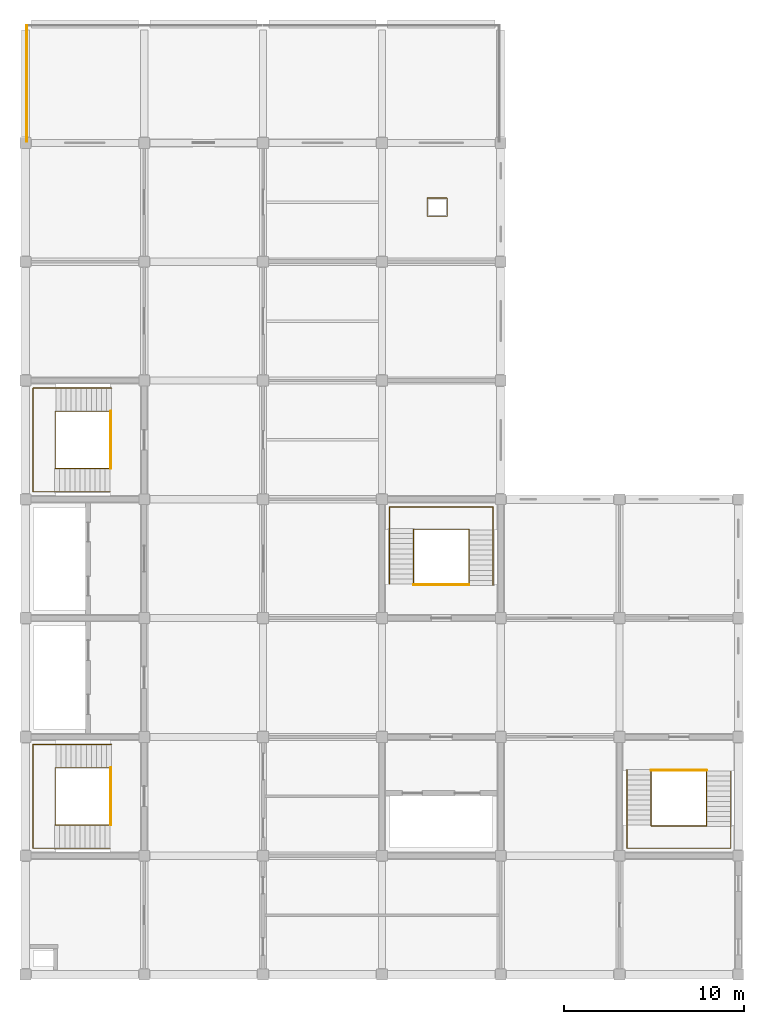
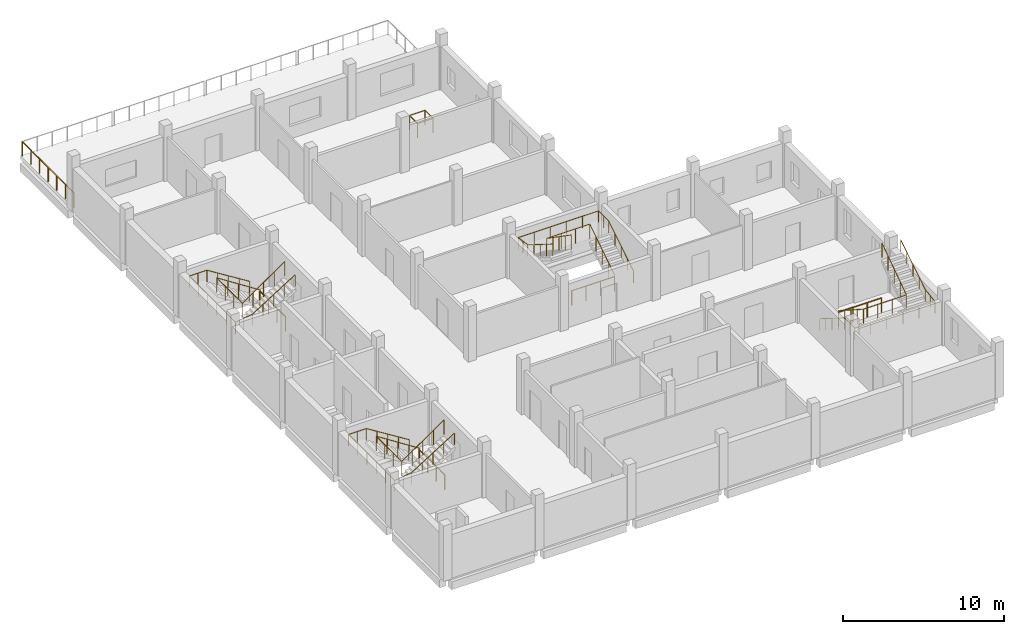
# One storey, part 6 of 7: 14 railings.
"""IFC4 building model written with IfcOpenShell, lengths in metres."""

from ifc_helpers import new_model, si_unit, direction, frame, origin, origin_2d, place, context, subcontext, project, spatial, circle, extrude, material, type_object, element, save


model = new_model("IFC4")

# Units and contexts
model_context = context("Model", 3, precision=1e-05, world=origin(), true_north=direction((0.0, 1.0)))
body_context = subcontext(model_context, "Body", "Model", "MODEL_VIEW")
ifc_project = project(units=[si_unit("LENGTHUNIT", "METRE"), si_unit("AREAUNIT", "SQUARE_METRE"), si_unit("VOLUMEUNIT", "CUBIC_METRE"), si_unit("PLANEANGLEUNIT", "RADIAN"), si_unit("MASSUNIT", "GRAM", prefix="KILO")], contexts=[model_context])

# Site, building, storey
site_placement = place(None, origin())
site = spatial("IfcSite", under=ifc_project, at=site_placement, CompositionType="ELEMENT")
building_placement = place(site_placement, origin())
building = spatial("IfcBuilding", under=site, at=building_placement, Name="Rusizi Kubbe Research Institute", CompositionType="ELEMENT")
storey_placement = place(building_placement, frame((0.0, 0.0, 64.800048828125)))
storey = spatial("IfcBuildingStorey", under=building, at=storey_placement, Name="L15", CompositionType="ELEMENT", Elevation=64.800048828125)

# Railings
ifc_material_1 = material(Name="Architectural Painted Steel Balustrade", Category="steel")
railing_type_1 = type_object("IfcRailingType", Name="GR-EXT", PredefinedType="GUARDRAIL", material=ifc_material_1)
railing_1_placement = place(storey_placement, frame((0.080078125, 46.280029296875, 0.0)))
element("IfcRailing", 1, at=railing_1_placement, inside=storey, type_object=railing_type_1, Name="Roof Terrace Guard L15-02", PredefinedType="GUARDRAIL", context=body_context, shape_type="SweptSolid", body=[
    extrude(circle(Radius=0.02392578125, at=origin_2d()), frame((0.0, 0.0, 1.09619140625), z_axis=(0.0, 1.0, 0.0), x_axis=(-1.0, 0.0, 0.0)), (0.0, 0.0, 1.0), 6.43994140625),
    extrude(circle(Radius=0.02099609375, at=origin_2d()), origin(), (0.0, 0.0, 1.0), 1.072021484375),
    extrude(circle(Radius=0.02099609375, at=origin_2d()), frame((0.0, 1.0732421875, 0.0)), (0.0, 0.0, 1.0), 1.072021484375),
    extrude(circle(Radius=0.02099609375, at=origin_2d()), frame((0.0, 2.146728515625, 0.0)), (0.0, 0.0, 1.0), 1.072021484375),
    extrude(circle(Radius=0.02099609375, at=origin_2d()), frame((0.0, 3.219970703125, 0.0)), (0.0, 0.0, 1.0), 1.072021484375),
    extrude(circle(Radius=0.02099609375, at=origin_2d()), frame((0.0, 4.293212890625, 0.0)), (0.0, 0.0, 1.0), 1.072021484375),
    extrude(circle(Radius=0.02099609375, at=origin_2d()), frame((0.0, 5.36669921875, 0.0)), (0.0, 0.0, 1.0), 1.072021484375),
    extrude(circle(Radius=0.02099609375, at=origin_2d()), frame((0.0, 6.43994140625, 0.0)), (0.0, 0.0, 1.0), 1.072021484375),
])
ifc_material_2 = material(Name="Painted Steel Stair Guard", Category="steel")
railing_type_2 = type_object("IfcRailingType", Name="GR-STAIR", PredefinedType="GUARDRAIL", material=ifc_material_2)
railing_2_placement = place(storey_placement, frame((4.780029296875, 11.489990234375, 0.08740234375)))
element("IfcRailing", 2, at=railing_2_placement, inside=storey, type_object=railing_type_2, Name="Stair Inner Well Guard ST1 L15", PredefinedType="GUARDRAIL", context=body_context, shape_type="SweptSolid", body=[
    extrude(circle(Radius=0.02392578125, at=origin_2d()), frame((0.0, 0.0, 1.09619140625), z_axis=(-0.840361383606, 0.0, 0.542026516828), x_axis=(0.0, -1.0, 0.0)), (0.0, 0.0, 1.0), 3.712890625),
    extrude(circle(Radius=0.02392578125, at=origin_2d()), frame((-3.1201171875, 0.0, 3.1083984375), z_axis=(0.0, -1.0, 0.0), x_axis=(1.0, 0.0, 0.0)), (0.0, 0.0, 1.0), 3.179931640625),
    extrude(circle(Radius=0.02392578125, at=origin_2d()), frame((-3.1201171875, -3.179931640625, 3.1083984375), z_axis=(0.82276741766, 0.0, 0.568378198419), x_axis=(0.0, 1.0, 0.0)), (0.0, 0.0, 1.0), 3.69482421875),
    extrude(circle(Radius=0.02099609375, at=origin_2d()), origin(), (0.0, 0.0, 1.0), 1.072021484375),
    extrude(circle(Radius=0.02099609375, at=origin_2d()), frame((-0.780029296875, 0.0, 0.503173828125)), (0.0, 0.0, 1.0), 1.072021484375),
    extrude(circle(Radius=0.02099609375, at=origin_2d()), frame((-1.56005859375, 0.0, 1.00634765625)), (0.0, 0.0, 1.0), 1.072021484375),
    extrude(circle(Radius=0.02099609375, at=origin_2d()), frame((-2.340087890625, 0.0, 1.50927734375)), (0.0, 0.0, 1.0), 1.072021484375),
    extrude(circle(Radius=0.02099609375, at=origin_2d()), frame((-3.1201171875, 0.0, 2.012451171875)), (0.0, 0.0, 1.0), 1.072021484375),
    extrude(circle(Radius=0.02099609375, at=origin_2d()), frame((-3.1201171875, -1.06005859375, 2.012451171875)), (0.0, 0.0, 1.0), 1.072021484375),
    extrude(circle(Radius=0.02099609375, at=origin_2d()), frame((-3.1201171875, -2.119873046875, 2.012451171875)), (0.0, 0.0, 1.0), 1.072021484375),
    extrude(circle(Radius=0.02099609375, at=origin_2d()), frame((-3.1201171875, -3.179931640625, 2.012451171875)), (0.0, 0.0, 1.0), 1.072021484375),
    extrude(circle(Radius=0.02099609375, at=origin_2d()), frame((-2.360107421875, -3.179931640625, 2.53759765625)), (0.0, 0.0, 1.0), 1.072021484375),
    extrude(circle(Radius=0.02099609375, at=origin_2d()), frame((-1.60009765625, -3.179931640625, 3.0625)), (0.0, 0.0, 1.0), 1.072021484375),
    extrude(circle(Radius=0.02099609375, at=origin_2d()), frame((-0.840087890625, -3.179931640625, 3.58740234375)), (0.0, 0.0, 1.0), 1.072021484375),
    extrude(circle(Radius=0.02099609375, at=origin_2d()), frame((-0.080078125, -3.179931640625, 4.112548828125)), (0.0, 0.0, 1.0), 1.072021484375),
])
railing_3_placement = place(storey_placement, frame((4.75, 11.489990234375, 0.0)))
element("IfcRailing", 3, at=railing_3_placement, inside=storey, type_object=railing_type_2, Name="Stair Floor Edge Guard ST1 L15", PredefinedType="GUARDRAIL", context=body_context, shape_type="SweptSolid", body=[
    extrude(circle(Radius=0.02392578125, at=origin_2d()), frame((0.0, 0.0, 1.09619140625), z_axis=(0.0, -1.0, 0.0), x_axis=(1.0, 0.0, 0.0)), (0.0, 0.0, 1.0), 3.179931640625),
    extrude(circle(Radius=0.02099609375, at=origin_2d()), origin(), (0.0, 0.0, 1.0), 1.072021484375),
    extrude(circle(Radius=0.02099609375, at=origin_2d()), frame((0.0, -1.06005859375, 0.0)), (0.0, 0.0, 1.0), 1.072021484375),
    extrude(circle(Radius=0.02099609375, at=origin_2d()), frame((0.0, -2.119873046875, 0.0)), (0.0, 0.0, 1.0), 1.072021484375),
    extrude(circle(Radius=0.02099609375, at=origin_2d()), frame((0.0, -3.179931640625, 0.0)), (0.0, 0.0, 1.0), 1.072021484375),
])
railing_4_placement = place(storey_placement, frame((4.780029296875, 31.2900390625, 0.08740234375)))
element("IfcRailing", 4, at=railing_4_placement, inside=storey, type_object=railing_type_2, Name="Stair Inner Well Guard ST2 L15", PredefinedType="GUARDRAIL", context=body_context, shape_type="SweptSolid", body=[
    extrude(circle(Radius=0.02392578125, at=origin_2d()), frame((0.0, 0.0, 1.09619140625), z_axis=(-0.840361383606, 0.0, 0.542026516828), x_axis=(0.0, -1.0, 0.0)), (0.0, 0.0, 1.0), 3.712890625),
    extrude(circle(Radius=0.02392578125, at=origin_2d()), frame((-3.1201171875, 0.0, 3.1083984375), z_axis=(0.0, -1.0, 0.0), x_axis=(1.0, 0.0, 0.0)), (0.0, 0.0, 1.0), 3.179931640625),
    extrude(circle(Radius=0.02392578125, at=origin_2d()), frame((-3.1201171875, -3.179931640625, 3.1083984375), z_axis=(0.82276741766, 0.0, 0.568378198419), x_axis=(0.0, 1.0, 0.0)), (0.0, 0.0, 1.0), 3.69482421875),
    extrude(circle(Radius=0.02099609375, at=origin_2d()), origin(), (0.0, 0.0, 1.0), 1.072021484375),
    extrude(circle(Radius=0.02099609375, at=origin_2d()), frame((-0.780029296875, 0.0, 0.503173828125)), (0.0, 0.0, 1.0), 1.072021484375),
    extrude(circle(Radius=0.02099609375, at=origin_2d()), frame((-1.56005859375, 0.0, 1.00634765625)), (0.0, 0.0, 1.0), 1.072021484375),
    extrude(circle(Radius=0.02099609375, at=origin_2d()), frame((-2.340087890625, 0.0, 1.50927734375)), (0.0, 0.0, 1.0), 1.072021484375),
    extrude(circle(Radius=0.02099609375, at=origin_2d()), frame((-3.1201171875, 0.0, 2.012451171875)), (0.0, 0.0, 1.0), 1.072021484375),
    extrude(circle(Radius=0.02099609375, at=origin_2d()), frame((-3.1201171875, -1.06005859375, 2.012451171875)), (0.0, 0.0, 1.0), 1.072021484375),
    extrude(circle(Radius=0.02099609375, at=origin_2d()), frame((-3.1201171875, -2.119873046875, 2.012451171875)), (0.0, 0.0, 1.0), 1.072021484375),
    extrude(circle(Radius=0.02099609375, at=origin_2d()), frame((-3.1201171875, -3.179931640625, 2.012451171875)), (0.0, 0.0, 1.0), 1.072021484375),
    extrude(circle(Radius=0.02099609375, at=origin_2d()), frame((-2.360107421875, -3.179931640625, 2.53759765625)), (0.0, 0.0, 1.0), 1.072021484375),
    extrude(circle(Radius=0.02099609375, at=origin_2d()), frame((-1.60009765625, -3.179931640625, 3.0625)), (0.0, 0.0, 1.0), 1.072021484375),
    extrude(circle(Radius=0.02099609375, at=origin_2d()), frame((-0.840087890625, -3.179931640625, 3.58740234375)), (0.0, 0.0, 1.0), 1.072021484375),
    extrude(circle(Radius=0.02099609375, at=origin_2d()), frame((-0.080078125, -3.179931640625, 4.112548828125)), (0.0, 0.0, 1.0), 1.072021484375),
])
railing_5_placement = place(storey_placement, frame((4.75, 31.2900390625, 0.0)))
element("IfcRailing", 5, at=railing_5_placement, inside=storey, type_object=railing_type_2, Name="Stair Floor Edge Guard ST2 L15", PredefinedType="GUARDRAIL", context=body_context, shape_type="SweptSolid", body=[
    extrude(circle(Radius=0.02392578125, at=origin_2d()), frame((0.0, 0.0, 1.09619140625), z_axis=(0.0, -1.0, 0.0), x_axis=(1.0, 0.0, 0.0)), (0.0, 0.0, 1.0), 3.179931640625),
    extrude(circle(Radius=0.02099609375, at=origin_2d()), origin(), (0.0, 0.0, 1.0), 1.072021484375),
    extrude(circle(Radius=0.02099609375, at=origin_2d()), frame((0.0, -1.06005859375, 0.0)), (0.0, 0.0, 1.0), 1.072021484375),
    extrude(circle(Radius=0.02099609375, at=origin_2d()), frame((0.0, -2.119873046875, 0.0)), (0.0, 0.0, 1.0), 1.072021484375),
    extrude(circle(Radius=0.02099609375, at=origin_2d()), frame((0.0, -3.179931640625, 0.0)), (0.0, 0.0, 1.0), 1.072021484375),
])
railing_6_placement = place(storey_placement, frame((24.639892578125, 21.6201171875, 0.08740234375)))
element("IfcRailing", 6, at=railing_6_placement, inside=storey, type_object=railing_type_2, Name="Stair Inner Well Guard ST3 L15", PredefinedType="GUARDRAIL", context=body_context, shape_type="SweptSolid", body=[
    extrude(circle(Radius=0.02392578125, at=origin_2d()), frame((0.0, 0.0, 1.09619140625), z_axis=(0.0, 0.840342063375, 0.542056469865), x_axis=(-1.0, 0.0, 0.0)), (0.0, 0.0, 1.0), 3.712646484375),
    extrude(circle(Radius=0.02392578125, at=origin_2d()), frame((0.0, 3.119873046875, 3.1083984375), z_axis=(-1.0, 0.0, 0.0), x_axis=(0.0, -1.0, 0.0)), (0.0, 0.0, 1.0), 3.079833984375),
    extrude(circle(Radius=0.02392578125, at=origin_2d()), frame((-3.079833984375, 3.119873046875, 3.1083984375), z_axis=(0.0, -0.82276741766, 0.568378198419), x_axis=(1.0, 0.0, 0.0)), (0.0, 0.0, 1.0), 3.69482421875),
    extrude(circle(Radius=0.02099609375, at=origin_2d()), origin(), (0.0, 0.0, 1.0), 1.072021484375),
    extrude(circle(Radius=0.02099609375, at=origin_2d()), frame((0.0, 0.780029296875, 0.503173828125)), (0.0, 0.0, 1.0), 1.072021484375),
    extrude(circle(Radius=0.02099609375, at=origin_2d()), frame((0.0, 1.56005859375, 1.00634765625)), (0.0, 0.0, 1.0), 1.072021484375),
    extrude(circle(Radius=0.02099609375, at=origin_2d()), frame((0.0, 2.33984375, 1.50927734375)), (0.0, 0.0, 1.0), 1.072021484375),
    extrude(circle(Radius=0.02099609375, at=origin_2d()), frame((0.0, 3.119873046875, 2.012451171875)), (0.0, 0.0, 1.0), 1.072021484375),
    extrude(circle(Radius=0.02099609375, at=origin_2d()), frame((-1.026611328125, 3.119873046875, 2.012451171875)), (0.0, 0.0, 1.0), 1.072021484375),
    extrude(circle(Radius=0.02099609375, at=origin_2d()), frame((-2.05322265625, 3.119873046875, 2.012451171875)), (0.0, 0.0, 1.0), 1.072021484375),
    extrude(circle(Radius=0.02099609375, at=origin_2d()), frame((-3.079833984375, 3.119873046875, 2.012451171875)), (0.0, 0.0, 1.0), 1.072021484375),
    extrude(circle(Radius=0.02099609375, at=origin_2d()), frame((-3.079833984375, 2.35986328125, 2.53759765625)), (0.0, 0.0, 1.0), 1.072021484375),
    extrude(circle(Radius=0.02099609375, at=origin_2d()), frame((-3.079833984375, 1.599853515625, 3.0625)), (0.0, 0.0, 1.0), 1.072021484375),
    extrude(circle(Radius=0.02099609375, at=origin_2d()), frame((-3.079833984375, 0.83984375, 3.58740234375)), (0.0, 0.0, 1.0), 1.072021484375),
    extrude(circle(Radius=0.02099609375, at=origin_2d()), frame((-3.079833984375, 0.079833984375, 4.112548828125)), (0.0, 0.0, 1.0), 1.072021484375),
])
railing_7_placement = place(storey_placement, frame((24.639892578125, 21.64990234375, 0.0)))
element("IfcRailing", 7, at=railing_7_placement, inside=storey, type_object=railing_type_2, Name="Stair Floor Edge Guard ST3 L15", PredefinedType="GUARDRAIL", context=body_context, shape_type="SweptSolid", body=[
    extrude(circle(Radius=0.02392578125, at=origin_2d()), frame((0.0, 0.0, 1.09619140625), z_axis=(-1.0, 0.0, 0.0), x_axis=(0.0, -1.0, 0.0)), (0.0, 0.0, 1.0), 3.079833984375),
    extrude(circle(Radius=0.02099609375, at=origin_2d()), origin(), (0.0, 0.0, 1.0), 1.072021484375),
    extrude(circle(Radius=0.02099609375, at=origin_2d()), frame((-1.026611328125, 0.0, 0.0)), (0.0, 0.0, 1.0), 1.072021484375),
    extrude(circle(Radius=0.02099609375, at=origin_2d()), frame((-2.05322265625, 0.0, 0.0)), (0.0, 0.0, 1.0), 1.072021484375),
    extrude(circle(Radius=0.02099609375, at=origin_2d()), frame((-3.079833984375, 0.0, 0.0)), (0.0, 0.0, 1.0), 1.072021484375),
])
railing_8_placement = place(storey_placement, frame((34.760009765625, 11.3798828125, 0.08740234375)))
element("IfcRailing", 8, at=railing_8_placement, inside=storey, type_object=railing_type_2, Name="Stair Inner Well Guard ST4 L15", PredefinedType="GUARDRAIL", context=body_context, shape_type="SweptSolid", body=[
    extrude(circle(Radius=0.02392578125, at=origin_2d()), frame((0.0, 0.0, 1.09619140625), z_axis=(0.0, -0.840342063375, 0.542056469865), x_axis=(1.0, 0.0, 0.0)), (0.0, 0.0, 1.0), 3.712646484375),
    extrude(circle(Radius=0.02392578125, at=origin_2d()), frame((0.0, -3.119873046875, 3.1083984375), z_axis=(1.0, 0.0, 0.0), x_axis=(0.0, 1.0, 0.0)), (0.0, 0.0, 1.0), 3.080078125),
    extrude(circle(Radius=0.02392578125, at=origin_2d()), frame((3.080078125, -3.119873046875, 3.1083984375), z_axis=(0.0, 0.82276741766, 0.568378198419), x_axis=(-1.0, 0.0, 0.0)), (0.0, 0.0, 1.0), 3.69482421875),
    extrude(circle(Radius=0.02099609375, at=origin_2d()), origin(), (0.0, 0.0, 1.0), 1.072021484375),
    extrude(circle(Radius=0.02099609375, at=origin_2d()), frame((0.0, -0.780029296875, 0.503173828125)), (0.0, 0.0, 1.0), 1.072021484375),
    extrude(circle(Radius=0.02099609375, at=origin_2d()), frame((0.0, -1.56005859375, 1.00634765625)), (0.0, 0.0, 1.0), 1.072021484375),
    extrude(circle(Radius=0.02099609375, at=origin_2d()), frame((0.0, -2.33984375, 1.50927734375)), (0.0, 0.0, 1.0), 1.072021484375),
    extrude(circle(Radius=0.02099609375, at=origin_2d()), frame((0.0, -3.119873046875, 2.012451171875)), (0.0, 0.0, 1.0), 1.072021484375),
    extrude(circle(Radius=0.02099609375, at=origin_2d()), frame((1.026611328125, -3.119873046875, 2.012451171875)), (0.0, 0.0, 1.0), 1.072021484375),
    extrude(circle(Radius=0.02099609375, at=origin_2d()), frame((2.053466796875, -3.119873046875, 2.012451171875)), (0.0, 0.0, 1.0), 1.072021484375),
    extrude(circle(Radius=0.02099609375, at=origin_2d()), frame((3.080078125, -3.119873046875, 2.012451171875)), (0.0, 0.0, 1.0), 1.072021484375),
    extrude(circle(Radius=0.02099609375, at=origin_2d()), frame((3.080078125, -2.35986328125, 2.53759765625)), (0.0, 0.0, 1.0), 1.072021484375),
    extrude(circle(Radius=0.02099609375, at=origin_2d()), frame((3.080078125, -1.599853515625, 3.0625)), (0.0, 0.0, 1.0), 1.072021484375),
    extrude(circle(Radius=0.02099609375, at=origin_2d()), frame((3.080078125, -0.83984375, 3.58740234375)), (0.0, 0.0, 1.0), 1.072021484375),
    extrude(circle(Radius=0.02099609375, at=origin_2d()), frame((3.080078125, -0.079833984375, 4.112548828125)), (0.0, 0.0, 1.0), 1.072021484375),
])
railing_9_placement = place(storey_placement, frame((34.760009765625, 11.35009765625, 0.0)))
element("IfcRailing", 9, at=railing_9_placement, inside=storey, type_object=railing_type_2, Name="Stair Floor Edge Guard ST4 L15", PredefinedType="GUARDRAIL", context=body_context, shape_type="SweptSolid", body=[
    extrude(circle(Radius=0.02392578125, at=origin_2d()), frame((0.0, 0.0, 1.09619140625), z_axis=(1.0, 0.0, 0.0), x_axis=(0.0, 1.0, 0.0)), (0.0, 0.0, 1.0), 3.080078125),
    extrude(circle(Radius=0.02099609375, at=origin_2d()), origin(), (0.0, 0.0, 1.0), 1.072021484375),
    extrude(circle(Radius=0.02099609375, at=origin_2d()), frame((1.026611328125, 0.0, 0.0)), (0.0, 0.0, 1.0), 1.072021484375),
    extrude(circle(Radius=0.02099609375, at=origin_2d()), frame((2.053466796875, 0.0, 0.0)), (0.0, 0.0, 1.0), 1.072021484375),
    extrude(circle(Radius=0.02099609375, at=origin_2d()), frame((3.080078125, 0.0, 0.0)), (0.0, 0.0, 1.0), 1.072021484375),
])
railing_10_placement = place(storey_placement, frame((22.320068359375, 42.1201171875, 0.0)))
element("IfcRailing", 10, at=railing_10_placement, inside=storey, type_object=railing_type_2, Name="Service Riser Guard L15 NORTHA", PredefinedType="GUARDRAIL", context=body_context, shape_type="SweptSolid", body=[
    extrude(circle(Radius=0.02392578125, at=origin_2d()), frame((0.0, 0.0, 1.09619140625), z_axis=(1.0, 0.0, 0.0), x_axis=(0.0, 1.0, 0.0)), (0.0, 0.0, 1.0), 1.10986328125),
    extrude(circle(Radius=0.02392578125, at=origin_2d()), frame((1.10986328125, 0.0, 1.09619140625), z_axis=(0.0, 1.0, 0.0), x_axis=(-1.0, 0.0, 0.0)), (0.0, 0.0, 1.0), 1.009765625),
    extrude(circle(Radius=0.02392578125, at=origin_2d()), frame((1.10986328125, 1.009765625, 1.09619140625), z_axis=(-1.0, 0.0, 0.0), x_axis=(0.0, -1.0, 0.0)), (0.0, 0.0, 1.0), 1.10986328125),
    extrude(circle(Radius=0.02392578125, at=origin_2d()), frame((0.0, 1.009765625, 1.09619140625), z_axis=(0.0, -1.0, 0.0), x_axis=(1.0, 0.0, 0.0)), (0.0, 0.0, 1.0), 1.009765625),
    extrude(circle(Radius=0.02099609375, at=origin_2d()), origin(), (0.0, 0.0, 1.0), 1.072021484375),
    extrude(circle(Radius=0.02099609375, at=origin_2d()), frame((1.10986328125, 0.0, 0.0)), (0.0, 0.0, 1.0), 1.072021484375),
    extrude(circle(Radius=0.02099609375, at=origin_2d()), frame((1.10986328125, 1.009765625, 0.0)), (0.0, 0.0, 1.0), 1.072021484375),
    extrude(circle(Radius=0.02099609375, at=origin_2d()), frame((0.0, 1.009765625, 0.0)), (0.0, 0.0, 1.0), 1.072021484375),
])
ifc_material_3 = material(Name="Brushed Stainless Steel Handrail", Category="steel")
railing_type_3 = type_object("IfcRailingType", Name="HR-STAIR", PredefinedType="HANDRAIL", material=ifc_material_3)
railing_11_placement = place(storey_placement, frame((4.780029296875, 12.780029296875, 0.175048828125)))
element("IfcRailing", 11, at=railing_11_placement, inside=storey, type_object=railing_type_3, Name="Stair Wall Handrail ST1 L15", PredefinedType="HANDRAIL", context=body_context, shape_type="SweptSolid", body=[
    extrude(circle(Radius=0.02392578125, at=origin_2d()), frame((0.0, 0.0, 0.8759765625), z_axis=(-0.848028513186, 0.0, 0.529950602248), x_axis=(0.0, -1.0, 0.0)), (0.0, 0.0, 1.0), 3.632080078125),
    extrude(circle(Radius=0.02392578125, at=origin_2d()), frame((-3.080078125, 0.0, 2.80078125), z_axis=(-1.0, 0.0, 0.0), x_axis=(0.0, -1.0, 0.0)), (0.0, 0.0, 1.0), 1.280029296875),
    extrude(circle(Radius=0.02392578125, at=origin_2d()), frame((-4.360107421875, 0.0, 2.80078125), z_axis=(0.0, -1.0, 0.0), x_axis=(1.0, 0.0, 0.0)), (0.0, 0.0, 1.0), 5.760009765625),
    extrude(circle(Radius=0.02392578125, at=origin_2d()), frame((-4.360107421875, -5.760009765625, 2.80078125), z_axis=(0.989630492691, 0.0, 0.143636652482), x_axis=(0.0, 1.0, 0.0)), (0.0, 0.0, 1.0), 1.21875),
    extrude(circle(Radius=0.02392578125, at=origin_2d()), frame((-3.154052734375, -5.760009765625, 2.9755859375), z_axis=(0.847525270172, 0.0, 0.530755043706), x_axis=(0.0, 1.0, 0.0)), (0.0, 0.0, 1.0), 3.626953125),
    extrude(circle(Radius=0.02099609375, at=origin_2d()), origin(), (0.0, 0.0, 1.0), 0.851806640625),
    extrude(circle(Radius=0.02099609375, at=origin_2d()), frame((-0.77001953125, 0.0, 0.481201171875)), (0.0, 0.0, 1.0), 0.851806640625),
    extrude(circle(Radius=0.02099609375, at=origin_2d()), frame((-1.5400390625, 0.0, 0.96240234375)), (0.0, 0.0, 1.0), 0.851806640625),
    extrude(circle(Radius=0.02099609375, at=origin_2d()), frame((-2.31005859375, 0.0, 1.443603515625)), (0.0, 0.0, 1.0), 0.851806640625),
    extrude(circle(Radius=0.02099609375, at=origin_2d()), frame((-3.080078125, 0.0, 1.9248046875)), (0.0, 0.0, 1.0), 0.851806640625),
    extrude(circle(Radius=0.02099609375, at=origin_2d()), frame((-3.72021484375, 0.0, 1.9248046875)), (0.0, 0.0, 1.0), 0.851806640625),
    extrude(circle(Radius=0.02099609375, at=origin_2d()), frame((-4.360107421875, 0.0, 1.9248046875)), (0.0, 0.0, 1.0), 0.851806640625),
    extrude(circle(Radius=0.02099609375, at=origin_2d()), frame((-4.360107421875, -1.152099609375, 1.9248046875)), (0.0, 0.0, 1.0), 0.851806640625),
    extrude(circle(Radius=0.02099609375, at=origin_2d()), frame((-4.360107421875, -2.303955078125, 1.9248046875)), (0.0, 0.0, 1.0), 0.851806640625),
    extrude(circle(Radius=0.02099609375, at=origin_2d()), frame((-4.360107421875, -3.4560546875, 1.9248046875)), (0.0, 0.0, 1.0), 0.851806640625),
    extrude(circle(Radius=0.02099609375, at=origin_2d()), frame((-4.360107421875, -4.60791015625, 1.9248046875)), (0.0, 0.0, 1.0), 0.851806640625),
    extrude(circle(Radius=0.02099609375, at=origin_2d()), frame((-4.360107421875, -5.760009765625, 1.9248046875)), (0.0, 0.0, 1.0), 0.851806640625),
    extrude(circle(Radius=0.02099609375, at=origin_2d()), frame((-3.757080078125, -5.760009765625, 2.01220703125)), (0.0, 0.0, 1.0), 0.851806640625),
    extrude(circle(Radius=0.02099609375, at=origin_2d()), frame((-3.154052734375, -5.760009765625, 2.099853515625)), (0.0, 0.0, 1.0), 0.851806640625),
    extrude(circle(Radius=0.02099609375, at=origin_2d()), frame((-2.385498046875, -5.760009765625, 2.5810546875)), (0.0, 0.0, 1.0), 0.851806640625),
    extrude(circle(Radius=0.02099609375, at=origin_2d()), frame((-1.6171875, -5.760009765625, 3.0625)), (0.0, 0.0, 1.0), 0.851806640625),
    extrude(circle(Radius=0.02099609375, at=origin_2d()), frame((-0.8486328125, -5.760009765625, 3.543701171875)), (0.0, 0.0, 1.0), 0.851806640625),
    extrude(circle(Radius=0.02099609375, at=origin_2d()), frame((-0.080078125, -5.760009765625, 4.02490234375)), (0.0, 0.0, 1.0), 0.851806640625),
])
railing_12_placement = place(storey_placement, frame((4.780029296875, 32.580078125, 0.175048828125)))
element("IfcRailing", 12, at=railing_12_placement, inside=storey, type_object=railing_type_3, Name="Stair Wall Handrail ST2 L15", PredefinedType="HANDRAIL", context=body_context, shape_type="SweptSolid", body=[
    extrude(circle(Radius=0.02392578125, at=origin_2d()), frame((0.0, 0.0, 0.8759765625), z_axis=(-0.848028513186, 0.0, 0.529950602248), x_axis=(0.0, -1.0, 0.0)), (0.0, 0.0, 1.0), 3.632080078125),
    extrude(circle(Radius=0.02392578125, at=origin_2d()), frame((-3.080078125, 0.0, 2.80078125), z_axis=(-1.0, 0.0, 0.0), x_axis=(0.0, -1.0, 0.0)), (0.0, 0.0, 1.0), 1.280029296875),
    extrude(circle(Radius=0.02392578125, at=origin_2d()), frame((-4.360107421875, 0.0, 2.80078125), z_axis=(0.0, -1.0, 0.0), x_axis=(1.0, 0.0, 0.0)), (0.0, 0.0, 1.0), 5.760009765625),
    extrude(circle(Radius=0.02392578125, at=origin_2d()), frame((-4.360107421875, -5.760009765625, 2.80078125), z_axis=(0.989630492691, 0.0, 0.143636652482), x_axis=(0.0, 1.0, 0.0)), (0.0, 0.0, 1.0), 1.21875),
    extrude(circle(Radius=0.02392578125, at=origin_2d()), frame((-3.154052734375, -5.760009765625, 2.9755859375), z_axis=(0.847525270172, 0.0, 0.530755043706), x_axis=(0.0, 1.0, 0.0)), (0.0, 0.0, 1.0), 3.626953125),
    extrude(circle(Radius=0.02099609375, at=origin_2d()), origin(), (0.0, 0.0, 1.0), 0.851806640625),
    extrude(circle(Radius=0.02099609375, at=origin_2d()), frame((-0.77001953125, 0.0, 0.481201171875)), (0.0, 0.0, 1.0), 0.851806640625),
    extrude(circle(Radius=0.02099609375, at=origin_2d()), frame((-1.5400390625, 0.0, 0.96240234375)), (0.0, 0.0, 1.0), 0.851806640625),
    extrude(circle(Radius=0.02099609375, at=origin_2d()), frame((-2.31005859375, 0.0, 1.443603515625)), (0.0, 0.0, 1.0), 0.851806640625),
    extrude(circle(Radius=0.02099609375, at=origin_2d()), frame((-3.080078125, 0.0, 1.9248046875)), (0.0, 0.0, 1.0), 0.851806640625),
    extrude(circle(Radius=0.02099609375, at=origin_2d()), frame((-3.72021484375, 0.0, 1.9248046875)), (0.0, 0.0, 1.0), 0.851806640625),
    extrude(circle(Radius=0.02099609375, at=origin_2d()), frame((-4.360107421875, 0.0, 1.9248046875)), (0.0, 0.0, 1.0), 0.851806640625),
    extrude(circle(Radius=0.02099609375, at=origin_2d()), frame((-4.360107421875, -1.152099609375, 1.9248046875)), (0.0, 0.0, 1.0), 0.851806640625),
    extrude(circle(Radius=0.02099609375, at=origin_2d()), frame((-4.360107421875, -2.303955078125, 1.9248046875)), (0.0, 0.0, 1.0), 0.851806640625),
    extrude(circle(Radius=0.02099609375, at=origin_2d()), frame((-4.360107421875, -3.4560546875, 1.9248046875)), (0.0, 0.0, 1.0), 0.851806640625),
    extrude(circle(Radius=0.02099609375, at=origin_2d()), frame((-4.360107421875, -4.60791015625, 1.9248046875)), (0.0, 0.0, 1.0), 0.851806640625),
    extrude(circle(Radius=0.02099609375, at=origin_2d()), frame((-4.360107421875, -5.760009765625, 1.9248046875)), (0.0, 0.0, 1.0), 0.851806640625),
    extrude(circle(Radius=0.02099609375, at=origin_2d()), frame((-3.757080078125, -5.760009765625, 2.01220703125)), (0.0, 0.0, 1.0), 0.851806640625),
    extrude(circle(Radius=0.02099609375, at=origin_2d()), frame((-3.154052734375, -5.760009765625, 2.099853515625)), (0.0, 0.0, 1.0), 0.851806640625),
    extrude(circle(Radius=0.02099609375, at=origin_2d()), frame((-2.385498046875, -5.760009765625, 2.5810546875)), (0.0, 0.0, 1.0), 0.851806640625),
    extrude(circle(Radius=0.02099609375, at=origin_2d()), frame((-1.6171875, -5.760009765625, 3.0625)), (0.0, 0.0, 1.0), 0.851806640625),
    extrude(circle(Radius=0.02099609375, at=origin_2d()), frame((-0.8486328125, -5.760009765625, 3.543701171875)), (0.0, 0.0, 1.0), 0.851806640625),
    extrude(circle(Radius=0.02099609375, at=origin_2d()), frame((-0.080078125, -5.760009765625, 4.02490234375)), (0.0, 0.0, 1.0), 0.851806640625),
])
railing_13_placement = place(storey_placement, frame((25.97998046875, 21.6201171875, 0.175048828125)))
element("IfcRailing", 13, at=railing_13_placement, inside=storey, type_object=railing_type_3, Name="Stair Wall Handrail ST3 L15", PredefinedType="HANDRAIL", context=body_context, shape_type="SweptSolid", body=[
    extrude(circle(Radius=0.02392578125, at=origin_2d()), frame((0.0, 0.0, 0.8759765625), z_axis=(0.0, 0.848009633417, 0.529980812513), x_axis=(-1.0, 0.0, 0.0)), (0.0, 0.0, 1.0), 3.6318359375),
    extrude(circle(Radius=0.02392578125, at=origin_2d()), frame((0.0, 3.079833984375, 2.80078125), z_axis=(0.0, 1.0, 0.0), x_axis=(-1.0, 0.0, 0.0)), (0.0, 0.0, 1.0), 1.280029296875),
    extrude(circle(Radius=0.02392578125, at=origin_2d()), frame((0.0, 4.35986328125, 2.80078125), z_axis=(-1.0, 0.0, 0.0), x_axis=(0.0, -1.0, 0.0)), (0.0, 0.0, 1.0), 5.760009765625),
    extrude(circle(Radius=0.02392578125, at=origin_2d()), frame((-5.760009765625, 4.35986328125, 2.80078125), z_axis=(0.0, -0.989630492691, 0.143636652482), x_axis=(1.0, 0.0, 0.0)), (0.0, 0.0, 1.0), 1.21875),
    extrude(circle(Radius=0.02392578125, at=origin_2d()), frame((-5.760009765625, 3.15380859375, 2.9755859375), z_axis=(0.0, -0.847525270172, 0.530755043706), x_axis=(1.0, 0.0, 0.0)), (0.0, 0.0, 1.0), 3.626953125),
    extrude(circle(Radius=0.02099609375, at=origin_2d()), origin(), (0.0, 0.0, 1.0), 0.851806640625),
    extrude(circle(Radius=0.02099609375, at=origin_2d()), frame((0.0, 0.77001953125, 0.481201171875)), (0.0, 0.0, 1.0), 0.851806640625),
    extrude(circle(Radius=0.02099609375, at=origin_2d()), frame((0.0, 1.5400390625, 0.96240234375)), (0.0, 0.0, 1.0), 0.851806640625),
    extrude(circle(Radius=0.02099609375, at=origin_2d()), frame((0.0, 2.309814453125, 1.443603515625)), (0.0, 0.0, 1.0), 0.851806640625),
    extrude(circle(Radius=0.02099609375, at=origin_2d()), frame((0.0, 3.079833984375, 1.9248046875)), (0.0, 0.0, 1.0), 0.851806640625),
    extrude(circle(Radius=0.02099609375, at=origin_2d()), frame((0.0, 3.7197265625, 1.9248046875)), (0.0, 0.0, 1.0), 0.851806640625),
    extrude(circle(Radius=0.02099609375, at=origin_2d()), frame((0.0, 4.35986328125, 1.9248046875)), (0.0, 0.0, 1.0), 0.851806640625),
    extrude(circle(Radius=0.02099609375, at=origin_2d()), frame((-1.152099609375, 4.35986328125, 1.9248046875)), (0.0, 0.0, 1.0), 0.851806640625),
    extrude(circle(Radius=0.02099609375, at=origin_2d()), frame((-2.303955078125, 4.35986328125, 1.9248046875)), (0.0, 0.0, 1.0), 0.851806640625),
    extrude(circle(Radius=0.02099609375, at=origin_2d()), frame((-3.4560546875, 4.35986328125, 1.9248046875)), (0.0, 0.0, 1.0), 0.851806640625),
    extrude(circle(Radius=0.02099609375, at=origin_2d()), frame((-4.60791015625, 4.35986328125, 1.9248046875)), (0.0, 0.0, 1.0), 0.851806640625),
    extrude(circle(Radius=0.02099609375, at=origin_2d()), frame((-5.760009765625, 4.35986328125, 1.9248046875)), (0.0, 0.0, 1.0), 0.851806640625),
    extrude(circle(Radius=0.02099609375, at=origin_2d()), frame((-5.760009765625, 3.7568359375, 2.01220703125)), (0.0, 0.0, 1.0), 0.851806640625),
    extrude(circle(Radius=0.02099609375, at=origin_2d()), frame((-5.760009765625, 3.15380859375, 2.099853515625)), (0.0, 0.0, 1.0), 0.851806640625),
    extrude(circle(Radius=0.02099609375, at=origin_2d()), frame((-5.760009765625, 2.38525390625, 2.5810546875)), (0.0, 0.0, 1.0), 0.851806640625),
    extrude(circle(Radius=0.02099609375, at=origin_2d()), frame((-5.760009765625, 1.61669921875, 3.0625)), (0.0, 0.0, 1.0), 0.851806640625),
    extrude(circle(Radius=0.02099609375, at=origin_2d()), frame((-5.760009765625, 0.848388671875, 3.543701171875)), (0.0, 0.0, 1.0), 0.851806640625),
    extrude(circle(Radius=0.02099609375, at=origin_2d()), frame((-5.760009765625, 0.079833984375, 4.02490234375)), (0.0, 0.0, 1.0), 0.851806640625),
])
railing_14_placement = place(storey_placement, frame((33.419921875, 11.3798828125, 0.175048828125)))
element("IfcRailing", 14, at=railing_14_placement, inside=storey, type_object=railing_type_3, Name="Stair Wall Handrail ST4 L15", PredefinedType="HANDRAIL", context=body_context, shape_type="SweptSolid", body=[
    extrude(circle(Radius=0.02392578125, at=origin_2d()), frame((0.0, 0.0, 0.8759765625), z_axis=(0.0, -0.848009633417, 0.529980812513), x_axis=(1.0, 0.0, 0.0)), (0.0, 0.0, 1.0), 3.6318359375),
    extrude(circle(Radius=0.02392578125, at=origin_2d()), frame((0.0, -3.079833984375, 2.80078125), z_axis=(0.0, -1.0, 0.0), x_axis=(1.0, 0.0, 0.0)), (0.0, 0.0, 1.0), 1.280029296875),
    extrude(circle(Radius=0.02392578125, at=origin_2d()), frame((0.0, -4.35986328125, 2.80078125), z_axis=(1.0, 0.0, 0.0), x_axis=(0.0, 1.0, 0.0)), (0.0, 0.0, 1.0), 5.760009765625),
    extrude(circle(Radius=0.02392578125, at=origin_2d()), frame((5.760009765625, -4.35986328125, 2.80078125), z_axis=(0.0, 0.989630492691, 0.143636652482), x_axis=(-1.0, 0.0, 0.0)), (0.0, 0.0, 1.0), 1.21875),
    extrude(circle(Radius=0.02392578125, at=origin_2d()), frame((5.760009765625, -3.15380859375, 2.9755859375), z_axis=(0.0, 0.847525270172, 0.530755043706), x_axis=(-1.0, 0.0, 0.0)), (0.0, 0.0, 1.0), 3.626953125),
    extrude(circle(Radius=0.02099609375, at=origin_2d()), origin(), (0.0, 0.0, 1.0), 0.851806640625),
    extrude(circle(Radius=0.02099609375, at=origin_2d()), frame((0.0, -0.77001953125, 0.481201171875)), (0.0, 0.0, 1.0), 0.851806640625),
    extrude(circle(Radius=0.02099609375, at=origin_2d()), frame((0.0, -1.5400390625, 0.96240234375)), (0.0, 0.0, 1.0), 0.851806640625),
    extrude(circle(Radius=0.02099609375, at=origin_2d()), frame((0.0, -2.309814453125, 1.443603515625)), (0.0, 0.0, 1.0), 0.851806640625),
    extrude(circle(Radius=0.02099609375, at=origin_2d()), frame((0.0, -3.079833984375, 1.9248046875)), (0.0, 0.0, 1.0), 0.851806640625),
    extrude(circle(Radius=0.02099609375, at=origin_2d()), frame((0.0, -3.7197265625, 1.9248046875)), (0.0, 0.0, 1.0), 0.851806640625),
    extrude(circle(Radius=0.02099609375, at=origin_2d()), frame((0.0, -4.35986328125, 1.9248046875)), (0.0, 0.0, 1.0), 0.851806640625),
    extrude(circle(Radius=0.02099609375, at=origin_2d()), frame((1.152099609375, -4.35986328125, 1.9248046875)), (0.0, 0.0, 1.0), 0.851806640625),
    extrude(circle(Radius=0.02099609375, at=origin_2d()), frame((2.303955078125, -4.35986328125, 1.9248046875)), (0.0, 0.0, 1.0), 0.851806640625),
    extrude(circle(Radius=0.02099609375, at=origin_2d()), frame((3.4560546875, -4.35986328125, 1.9248046875)), (0.0, 0.0, 1.0), 0.851806640625),
    extrude(circle(Radius=0.02099609375, at=origin_2d()), frame((4.60791015625, -4.35986328125, 1.9248046875)), (0.0, 0.0, 1.0), 0.851806640625),
    extrude(circle(Radius=0.02099609375, at=origin_2d()), frame((5.760009765625, -4.35986328125, 1.9248046875)), (0.0, 0.0, 1.0), 0.851806640625),
    extrude(circle(Radius=0.02099609375, at=origin_2d()), frame((5.760009765625, -3.7568359375, 2.01220703125)), (0.0, 0.0, 1.0), 0.851806640625),
    extrude(circle(Radius=0.02099609375, at=origin_2d()), frame((5.760009765625, -3.15380859375, 2.099853515625)), (0.0, 0.0, 1.0), 0.851806640625),
    extrude(circle(Radius=0.02099609375, at=origin_2d()), frame((5.760009765625, -2.38525390625, 2.5810546875)), (0.0, 0.0, 1.0), 0.851806640625),
    extrude(circle(Radius=0.02099609375, at=origin_2d()), frame((5.760009765625, -1.61669921875, 3.0625)), (0.0, 0.0, 1.0), 0.851806640625),
    extrude(circle(Radius=0.02099609375, at=origin_2d()), frame((5.760009765625, -0.848388671875, 3.543701171875)), (0.0, 0.0, 1.0), 0.851806640625),
    extrude(circle(Radius=0.02099609375, at=origin_2d()), frame((5.760009765625, -0.079833984375, 4.02490234375)), (0.0, 0.0, 1.0), 0.851806640625),
])

save(model, "model.ifc")
